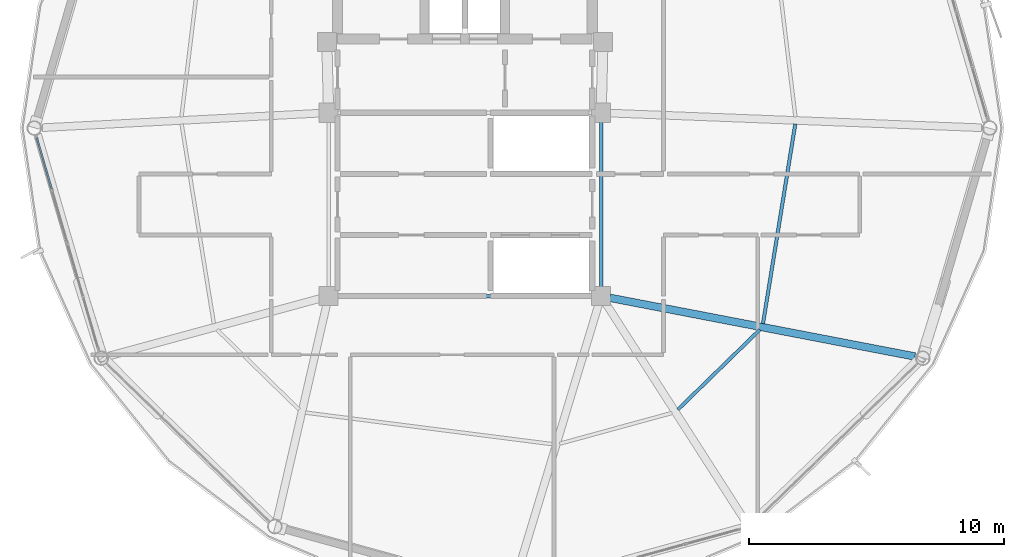
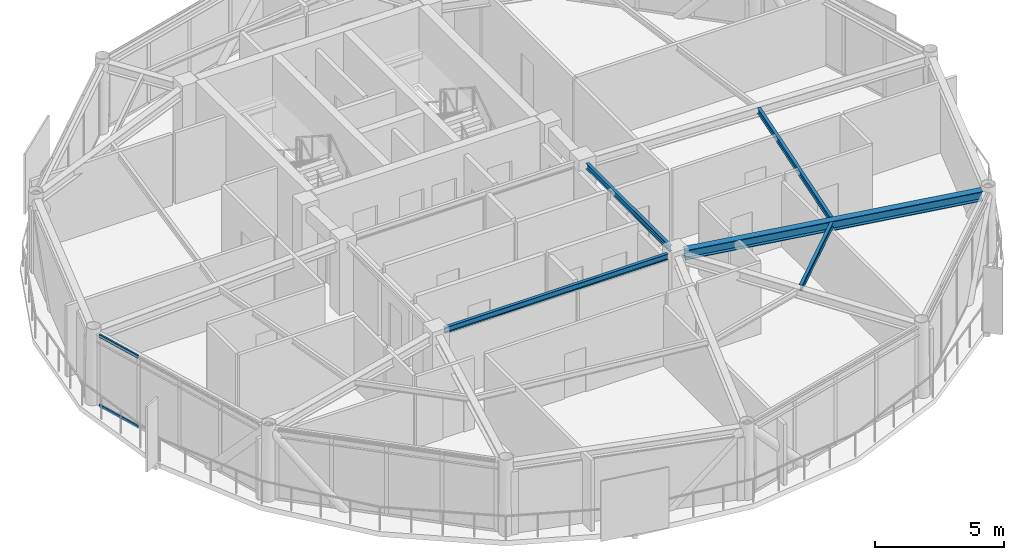
# One storey, part 10 of 27: 5 beams, 2 members, 1 element without a shape of its own.
"""IFC4 building model written with IfcOpenShell, lengths in metres."""

from ifc_helpers import new_model, si_unit, direction, frame, origin, origin_2d, place, context, subcontext, project, spatial, hollow_rectangle, i_section, extrude, material, layer, layer_set, material_profile, profile_set, type_object, element, aggregate, save


model = new_model("IFC4")

# Units and contexts
model_context = context("Model", 3, precision=1e-05, world=origin(), true_north=direction((0.0, 1.0)))
body_context = subcontext(model_context, "Body", "Model", "MODEL_VIEW")
ifc_project = project(units=[si_unit("LENGTHUNIT", "METRE"), si_unit("AREAUNIT", "SQUARE_METRE"), si_unit("VOLUMEUNIT", "CUBIC_METRE"), si_unit("PLANEANGLEUNIT", "RADIAN"), si_unit("MASSUNIT", "GRAM", prefix="KILO")], contexts=[model_context])

# Site, building, storey
site_placement = place(None, origin())
site = spatial("IfcSite", under=ifc_project, at=site_placement, CompositionType="ELEMENT")
building_placement = place(site_placement, origin())
building = spatial("IfcBuilding", under=site, at=building_placement, Name="Varnakorn Sky Granary", CompositionType="ELEMENT")
storey_placement = place(building_placement, frame((0.0, 0.0, 232.800048828125)))
storey = spatial("IfcBuildingStorey", under=building, at=storey_placement, Name="L59", CompositionType="ELEMENT", Elevation=232.800048828125)

# Beams
ifc_material_1 = material(Name="Steel S355JR", Category="steel")
ifc_material_profile_1 = material_profile(ifc_material_1, i_section(OverallWidth=0.300048828125, OverallDepth=0.449951171875, WebThickness=0.013916015625, FlangeThickness=0.02587890625, at=origin_2d()), Name="HE 450 B")
ifc_profile_set_1 = profile_set([ifc_material_profile_1], Name="Steel S355JR")
beam_type_1 = type_object("IfcBeamType", Name="BM-RAD-Z5", PredefinedType="BEAM", material=ifc_profile_set_1)
beam_1_placement = place(storey_placement, frame((8.698486328125, -6.6669921875, 3.135009765625), z_axis=(0.981991298024, -0.188926151197, 0.0), x_axis=(0.188926151197, 0.981991298024, 0.0)))
element("IfcBeam", 1, at=beam_1_placement, inside=storey, type_object=beam_type_1, Name="Radial Floor Girder RG12 L59", PredefinedType="BEAM", context=body_context, shape_type="SweptSolid", body=[
    extrude(i_section(OverallWidth=0.300048828125, OverallDepth=0.449951171875, WebThickness=0.013916015625, FlangeThickness=0.02587890625, at=origin_2d()), origin(), (0.0, 0.0, 1.0), 12.187255859375),
])
ifc_material_profile_2 = material_profile(ifc_material_1, i_section(OverallWidth=0.135009765625, OverallDepth=0.27001953125, WebThickness=0.006591796875, FlangeThickness=0.01025390625, at=origin_2d()), Name="IPE 270")
ifc_profile_set_2 = profile_set([ifc_material_profile_2], Name="Steel S355JR")
beam_type_2 = type_object("IfcBeamType", Name="BM-SEC-Z5", PredefinedType="BEAM", material=ifc_profile_set_2)
beam_2_placement = place(storey_placement, frame((11.365478515625, -11.051513671875, 3.224853515625), z_axis=(0.716097928835, 0.697999825443, 0.0), x_axis=(-0.697999825443, 0.716097928835, 0.0)))
element("IfcBeam", 2, at=beam_2_placement, inside=storey, type_object=beam_type_2, Name="Secondary Floor Chord Beam MSB11 L59", PredefinedType="BEAM", context=body_context, shape_type="SweptSolid", body=[
    extrude(i_section(OverallWidth=0.135009765625, OverallDepth=0.27001953125, WebThickness=0.006591796875, FlangeThickness=0.01025390625, at=origin_2d()), origin(), (0.0, 0.0, 1.0), 4.4921875),
])
beam_3_placement = place(storey_placement, frame((14.704833984375, -7.68017578125, 3.224853515625), z_axis=(0.159546545411, 0.987190407088, 0.0), x_axis=(-0.987190407088, 0.159546545411, 0.0)))
element("IfcBeam", 3, at=beam_3_placement, inside=storey, type_object=beam_type_2, Name="Secondary Floor Chord Beam MSB12 L59", PredefinedType="BEAM", context=body_context, shape_type="SweptSolid", body=[
    extrude(i_section(OverallWidth=0.135009765625, OverallDepth=0.27001953125, WebThickness=0.006591796875, FlangeThickness=0.01025390625, at=origin_2d()), origin(), (0.0, 0.0, 1.0), 7.94189453125),
])
beam_4_placement = place(storey_placement, frame((8.35009765625, 0.2451171875, 3.224853515625), z_axis=(0.0, -1.0, 0.0), x_axis=(1.0, 0.0, 0.0)))
element("IfcBeam", 4, at=beam_4_placement, inside=storey, type_object=beam_type_2, Name="Core Spine Framing Beam 4 L59", PredefinedType="BEAM", context=body_context, shape_type="SweptSolid", body=[
    extrude(i_section(OverallWidth=0.135009765625, OverallDepth=0.27001953125, WebThickness=0.006591796875, FlangeThickness=0.01025390625, at=origin_2d()), origin(), (0.0, 0.0, 1.0), 6.490234375),
])
beam_5_placement = place(storey_placement, frame((-1.9951171875, -6.60009765625, 3.224853515625), z_axis=(1.0, 0.0, 0.0), x_axis=(0.0, 1.0, 0.0)))
element("IfcBeam", 5, at=beam_5_placement, inside=storey, type_object=beam_type_2, Name="Core Spine Framing Beam 6 L59", PredefinedType="BEAM", context=body_context, shape_type="SweptSolid", body=[
    extrude(i_section(OverallWidth=0.135009765625, OverallDepth=0.27001953125, WebThickness=0.006591796875, FlangeThickness=0.01025390625, at=origin_2d()), origin(), (0.0, 0.0, 1.0), 9.990234375),
])

# Curtain wall, members
ifc_material_2 = material(Name="Anodised Bronze Aluminium Alloy 6063-T6", Category="aluminium")
ifc_layer = layer(ifc_material_2, 0.169921875, Name="Anodised Bronze Aluminium Alloy 6063-T6")
ifc_layer_set = layer_set([ifc_layer], Name="Anodised Bronze Aluminium Alloy 6063-T6")
curtain_wall_type = type_object("IfcCurtainWallType", Name="CW-LAB-1", PredefinedType="USERDEFINED", material=ifc_layer_set)
curtain_wall_placement = place(storey_placement, origin())
curtain_wall = element("IfcCurtainWall", 6, at=curtain_wall_placement, inside=storey, type_object=curtain_wall_type, Name="Unitised Curtain Wall CW5 CW-L59-B07", ObjectType="CURTAIN WALL", PredefinedType="USERDEFINED")
ifc_material_profile_3 = material_profile(ifc_material_2, hollow_rectangle(XDim=0.070068359375, YDim=0.139892578125, WallThickness=0.00341796875, at=origin_2d()), Name="ALU TRAN 70x140")
ifc_profile_set_3 = profile_set([ifc_material_profile_3], Name="Anodised Bronze Aluminium Alloy 6063-T6")
member_type = type_object("IfcMemberType", Name="CW-LAB-1-TRAN", PredefinedType="USERDEFINED", material=ifc_profile_set_3)
member_1_placement = place(storey_placement, frame((-13.219970703125, -2.390869140625, 0.034912109375), z_axis=(-0.279541463875, 0.960133620896, 0.0), x_axis=(-0.960133620896, -0.279541463875, 0.0)))
member_1 = element("IfcMember", 7, at=member_1_placement, type_object=member_type, Name="CW5 transom 4.1", ObjectType="TRANSOM", PredefinedType="USERDEFINED", context=body_context, shape_type="SweptSolid", body=[
    extrude(hollow_rectangle(XDim=0.070068359375, YDim=0.139892578125, WallThickness=0.00341796875, at=origin_2d()), origin(), (0.0, 0.0, 1.0), 2.085693359375),
])
member_2_placement = place(storey_placement, frame((-13.219970703125, -2.390869140625, 3.324951171875), z_axis=(-0.279541463875, 0.960133620896, 0.0), x_axis=(-0.960133620896, -0.279541463875, 0.0)))
member_2 = element("IfcMember", 8, at=member_2_placement, type_object=member_type, Name="CW5 transom 4.2", ObjectType="TRANSOM", PredefinedType="USERDEFINED", context=body_context, shape_type="SweptSolid", body=[
    extrude(hollow_rectangle(XDim=0.070068359375, YDim=0.139892578125, WallThickness=0.00341796875, at=origin_2d()), origin(), (0.0, 0.0, 1.0), 2.085693359375),
])
aggregate(curtain_wall, [member_1, member_2])

save(model, "model.ifc")
